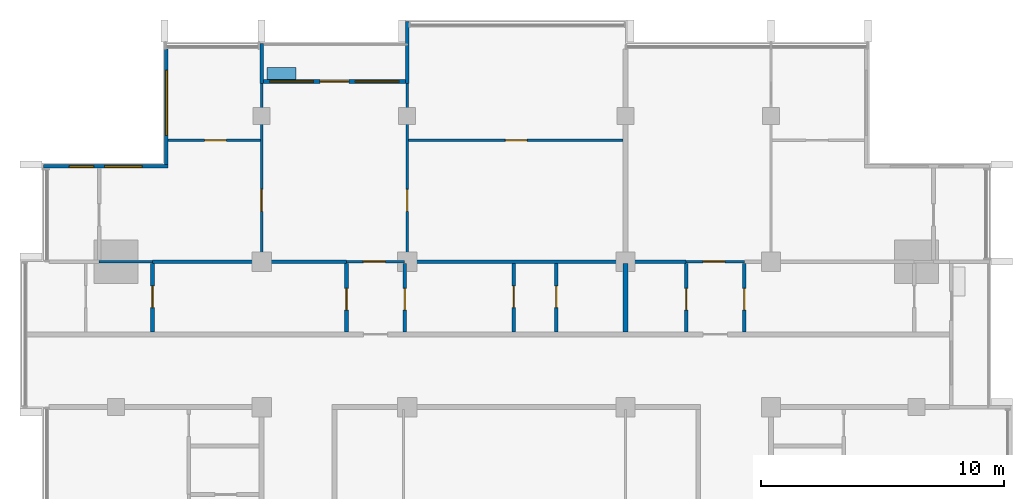
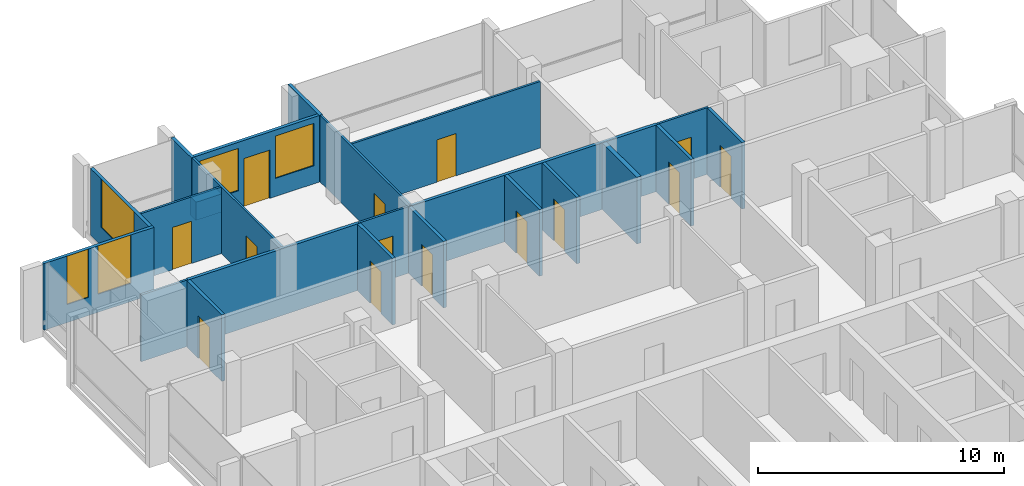
# One storey, part 10 of 16: 23 walls, 14 doors, 5 windows, 19 openings.
"""IFC4 building model written with IfcOpenShell, lengths in metres."""

from ifc_helpers import new_model, si_unit, direction, frame, frame_2d, origin, place, context, subcontext, project, spatial, rectangle, extrude, material, layer, layer_set, type_object, element, fill, save


model = new_model("IFC4")

# Units and contexts
model_context = context("Model", 3, precision=1e-05, world=origin(), true_north=direction((0.0, 1.0)))
body_context = subcontext(model_context, "Body", "Model", "MODEL_VIEW")
ifc_project = project(units=[si_unit("LENGTHUNIT", "METRE"), si_unit("AREAUNIT", "SQUARE_METRE"), si_unit("VOLUMEUNIT", "CUBIC_METRE"), si_unit("PLANEANGLEUNIT", "RADIAN"), si_unit("MASSUNIT", "GRAM", prefix="KILO")], contexts=[model_context])

# Site, building, storey
site_placement = place(None, origin())
site = spatial("IfcSite", under=ifc_project, at=site_placement, CompositionType="ELEMENT")
building_placement = place(site_placement, origin())
building = spatial("IfcBuilding", under=site, at=building_placement, Name="Finial Court Residences", CompositionType="ELEMENT")
storey_placement = place(building_placement, frame((0.0, 0.0, 280.699951171875)))
storey = spatial("IfcBuildingStorey", under=building, at=storey_placement, Name="L71", CompositionType="ELEMENT", Elevation=280.699951171875)

# Walls
ifc_material_1 = material(Name="Gypsum board")
ifc_layer_1 = layer(ifc_material_1, 0.02490234375)
ifc_material_2 = material(Name="Acoustic mineral wool in double frame")
ifc_layer_2 = layer(ifc_material_2, 0.14990234375)
ifc_layer_3 = layer(ifc_material_1, 0.02490234375)
ifc_layer_set_1 = layer_set([ifc_layer_1, ifc_layer_2, ifc_layer_3], Name="Acoustic party wall 200, 1 hour")
wall_type_1 = type_object("IfcWallType", Name="Acoustic party wall 200, 1 hour", PredefinedType="PARTITIONING", material=ifc_layer_set_1)
wall_1_placement = place(storey_placement, frame((4.5, 4.60009765625, 0.0), z_axis=(0.0, 0.0, 1.0), x_axis=(0.0, 1.0, 0.0)))
element("IfcWall", 1, at=wall_1_placement, inside=storey, type_object=wall_type_1, Name="Partition L71-045", PredefinedType="PARTITIONING", context=body_context, shape_type="SweptSolid", body=[
    extrude(rectangle(XDim=2.824951171875, YDim=0.199951171875, at=frame_2d((1.41259765625, 0.0))), origin(), (0.0, 0.0, 1.0), 3.300048828125),
])
ifc_layer_4 = layer(ifc_material_1, 0.012451171875)
ifc_material_3 = material(Name="Mineral wool in light-gauge frame")
ifc_layer_5 = layer(ifc_material_3, 0.074951171875)
ifc_layer_6 = layer(ifc_material_1, 0.012451171875)
ifc_layer_set_2 = layer_set([ifc_layer_4, ifc_layer_5, ifc_layer_6], Name="Gypsum board partition 100")
wall_type_2 = type_object("IfcWallType", Name="Gypsum board partition 100", PredefinedType="PARTITIONING", material=ifc_layer_set_2)
wall_2_placement = place(storey_placement, frame((-17.199951171875, 7.5, 0.0), z_axis=(0.0, 0.0, 1.0), x_axis=(1.0, 0.0, 0.0)))
element("IfcWall", 2, at=wall_2_placement, inside=storey, type_object=wall_type_2, Name="Partition L71-017", PredefinedType="PARTITIONING", context=body_context, shape_type="SweptSolid", body=[
    extrude(rectangle(XDim=2.199951171875, YDim=0.10009765625, at=frame_2d((1.10009765625, 0.0))), origin(), (0.0, 0.0, 1.0), 3.300048828125),
])

# Wall, opening, door
wall_3_placement = place(storey_placement, frame((-7.0, 7.5, 0.0), z_axis=(0.0, 0.0, 1.0), x_axis=(1.0, 0.0, 0.0)))
wall_3 = element("IfcWall", 3, at=wall_3_placement, inside=storey, type_object=wall_type_2, Name="Partition L71-018", PredefinedType="PARTITIONING", context=body_context, shape_type="SweptSolid", body=[
    extrude(rectangle(XDim=2.39990234375, YDim=0.10009765625, at=frame_2d((1.199951171875, 0.0))), origin(), (0.0, 0.0, 1.0), 3.300048828125),
])
opening_1_placement = place(wall_3_placement, frame((0.699951171875, 0.0, 0.0)))
opening_1 = element("IfcOpeningElement", 4, at=opening_1_placement, cuts=wall_3, Name="Opening L71-D018", PredefinedType="OPENING", context=body_context, shape_type="SweptSolid", body=[
    extrude(rectangle(XDim=0.89990234375, YDim=2.10009765625, at=frame_2d((0.449951171875, 1.050048828125))), frame((0.0, 0.06005859375, 0.0), z_axis=(0.0, -1.0, 0.0), x_axis=(1.0, 0.0, 0.0)), (0.0, 0.0, 1.0), 0.1201171875),
])
ifc_material_4 = material(Name="Timber door leaf in timber frame", Category="wood")
door_type_1 = type_object("IfcDoorType", Name="Door set 900 x 2100", OperationType="SINGLE_SWING_LEFT", PredefinedType="DOOR", material=ifc_material_4)
door_1_placement = place(opening_1_placement, origin())
door_1 = element("IfcDoor", 5, at=door_1_placement, inside=storey, type_object=door_type_1, Name="Door L71-D018", OperationType="SINGLE_SWING_RIGHT", OverallHeight=2.10009765625, OverallWidth=0.89990234375, PredefinedType="DOOR", context=body_context, shape_type="SweptSolid", body=[
    extrude(rectangle(XDim=0.89990234375, YDim=2.10009765625, at=frame_2d((0.449951171875, 1.050048828125))), frame((0.0, 0.02490234375, 0.0), z_axis=(0.0, -1.0, 0.0), x_axis=(1.0, 0.0, 0.0)), (0.0, 0.0, 1.0), 0.050048828125),
])
fill(opening_1, door_1)

wall_4_placement = place(storey_placement, frame((7.0, 7.5, 0.0), z_axis=(0.0, 0.0, 1.0), x_axis=(1.0, 0.0, 0.0)))
wall_4 = element("IfcWall", 6, at=wall_4_placement, inside=storey, type_object=wall_type_2, Name="Partition L71-019", PredefinedType="PARTITIONING", context=body_context, shape_type="SweptSolid", body=[
    extrude(rectangle(XDim=2.39990234375, YDim=0.10009765625, at=frame_2d((1.199951171875, 0.0))), origin(), (0.0, 0.0, 1.0), 3.300048828125),
])
opening_2_placement = place(wall_4_placement, frame((0.699951171875, 0.0, 0.0)))
opening_2 = element("IfcOpeningElement", 7, at=opening_2_placement, cuts=wall_4, Name="Opening L71-D019", PredefinedType="OPENING", context=body_context, shape_type="SweptSolid", body=[
    extrude(rectangle(XDim=0.89990234375, YDim=2.10009765625, at=frame_2d((0.449951171875, 1.050048828125))), frame((0.0, 0.06005859375, 0.0), z_axis=(0.0, -1.0, 0.0), x_axis=(1.0, 0.0, 0.0)), (0.0, 0.0, 1.0), 0.1201171875),
])
door_2_placement = place(opening_2_placement, origin())
door_2 = element("IfcDoor", 8, at=door_2_placement, inside=storey, type_object=door_type_1, Name="Door L71-D019", OperationType="SINGLE_SWING_RIGHT", OverallHeight=2.10009765625, OverallWidth=0.89990234375, PredefinedType="DOOR", context=body_context, shape_type="SweptSolid", body=[
    extrude(rectangle(XDim=0.89990234375, YDim=2.10009765625, at=frame_2d((0.449951171875, 1.050048828125))), frame((0.0, 0.02490234375, 0.0), z_axis=(0.0, -1.0, 0.0), x_axis=(1.0, 0.0, 0.0)), (0.0, 0.0, 1.0), 0.050048828125),
])
fill(opening_2, door_2)

wall_5_placement = place(storey_placement, frame((-14.35009765625, 12.5, 0.0), z_axis=(0.0, 0.0, 1.0), x_axis=(1.0, 0.0, 0.0)))
wall_5 = element("IfcWall", 9, at=wall_5_placement, inside=storey, type_object=wall_type_2, Name="Partition L71-026", PredefinedType="PARTITIONING", context=body_context, shape_type="SweptSolid", body=[
    extrude(rectangle(XDim=3.800048828125, YDim=0.10009765625, at=frame_2d((1.89990234375, 0.0))), origin(), (0.0, 0.0, 1.0), 3.300048828125),
])
opening_3_placement = place(wall_5_placement, frame((1.5, 0.0, 0.0)))
opening_3 = element("IfcOpeningElement", 10, at=opening_3_placement, cuts=wall_5, Name="Opening L71-D020", PredefinedType="OPENING", context=body_context, shape_type="SweptSolid", body=[
    extrude(rectangle(XDim=0.89990234375, YDim=2.10009765625, at=frame_2d((0.449951171875, 1.050048828125))), frame((0.0, 0.06005859375, 0.0), z_axis=(0.0, -1.0, 0.0), x_axis=(1.0, 0.0, 0.0)), (0.0, 0.0, 1.0), 0.1201171875),
])
door_3_placement = place(opening_3_placement, origin())
door_3 = element("IfcDoor", 11, at=door_3_placement, inside=storey, type_object=door_type_1, Name="Door L71-D020", OperationType="SINGLE_SWING_LEFT", OverallHeight=2.10009765625, OverallWidth=0.89990234375, PredefinedType="DOOR", context=body_context, shape_type="SweptSolid", body=[
    extrude(rectangle(XDim=0.89990234375, YDim=2.10009765625, at=frame_2d((0.449951171875, 1.050048828125))), frame((0.0, 0.02490234375, 0.0), z_axis=(0.0, -1.0, 0.0), x_axis=(1.0, 0.0, 0.0)), (0.0, 0.0, 1.0), 0.050048828125),
])
fill(opening_3, door_3)

wall_6_placement = place(storey_placement, frame((-4.449951171875, 12.5, 0.0), z_axis=(0.0, 0.0, 1.0), x_axis=(1.0, 0.0, 0.0)))
wall_6 = element("IfcWall", 12, at=wall_6_placement, inside=storey, type_object=wall_type_2, Name="Partition L71-027", PredefinedType="PARTITIONING", context=body_context, shape_type="SweptSolid", body=[
    extrude(rectangle(XDim=8.849853515625, YDim=0.10009765625, at=frame_2d((4.4248046875, 0.0))), origin(), (0.0, 0.0, 1.0), 3.300048828125),
])
opening_4_placement = place(wall_6_placement, frame((4.0, 0.0, 0.0)))
opening_4 = element("IfcOpeningElement", 13, at=opening_4_placement, cuts=wall_6, Name="Opening L71-D021", PredefinedType="OPENING", context=body_context, shape_type="SweptSolid", body=[
    extrude(rectangle(XDim=0.89990234375, YDim=2.10009765625, at=frame_2d((0.449951171875, 1.050048828125))), frame((0.0, 0.06005859375, 0.0), z_axis=(0.0, -1.0, 0.0), x_axis=(1.0, 0.0, 0.0)), (0.0, 0.0, 1.0), 0.1201171875),
])
door_4_placement = place(opening_4_placement, origin())
door_4 = element("IfcDoor", 14, at=door_4_placement, inside=storey, type_object=door_type_1, Name="Door L71-D021", OperationType="SINGLE_SWING_LEFT", OverallHeight=2.10009765625, OverallWidth=0.89990234375, PredefinedType="DOOR", context=body_context, shape_type="SweptSolid", body=[
    extrude(rectangle(XDim=0.89990234375, YDim=2.10009765625, at=frame_2d((0.449951171875, 1.050048828125))), frame((0.0, 0.02490234375, 0.0), z_axis=(0.0, -1.0, 0.0), x_axis=(1.0, 0.0, 0.0)), (0.0, 0.0, 1.0), 0.050048828125),
])
fill(opening_4, door_4)

wall_7_placement = place(storey_placement, frame((-10.5, 7.574951171875, 0.0), z_axis=(0.0, 0.0, 1.0), x_axis=(0.0, 1.0, 0.0)))
wall_7 = element("IfcWall", 15, at=wall_7_placement, inside=storey, type_object=wall_type_2, Name="Partition L71-036", PredefinedType="PARTITIONING", context=body_context, shape_type="SweptSolid", body=[
    extrude(rectangle(XDim=7.275146484375, YDim=0.10009765625, at=frame_2d((3.6376953125, 0.0))), origin(), (0.0, 0.0, 1.0), 3.300048828125),
])
opening_5_placement = place(wall_7_placement, frame((2.0, 0.0, 0.0)))
opening_5 = element("IfcOpeningElement", 16, at=opening_5_placement, cuts=wall_7, Name="Opening L71-D028", PredefinedType="OPENING", context=body_context, shape_type="SweptSolid", body=[
    extrude(rectangle(XDim=0.89990234375, YDim=2.10009765625, at=frame_2d((0.449951171875, 1.050048828125))), frame((0.0, 0.06005859375, 0.0), z_axis=(0.0, -1.0, 0.0), x_axis=(1.0, 0.0, 0.0)), (0.0, 0.0, 1.0), 0.1201171875),
])
door_5_placement = place(opening_5_placement, origin())
door_5 = element("IfcDoor", 17, at=door_5_placement, inside=storey, type_object=door_type_1, Name="Door L71-D028", OperationType="SINGLE_SWING_RIGHT", OverallHeight=2.10009765625, OverallWidth=0.89990234375, PredefinedType="DOOR", context=body_context, shape_type="SweptSolid", body=[
    extrude(rectangle(XDim=0.89990234375, YDim=2.10009765625, at=frame_2d((0.449951171875, 1.050048828125))), frame((0.0, 0.02490234375, 0.0), z_axis=(0.0, -1.0, 0.0), x_axis=(1.0, 0.0, 0.0)), (0.0, 0.0, 1.0), 0.050048828125),
])
fill(opening_5, door_5)

wall_8_placement = place(storey_placement, frame((-4.5, 7.574951171875, 0.0), z_axis=(0.0, 0.0, 1.0), x_axis=(0.0, 1.0, 0.0)))
wall_8 = element("IfcWall", 18, at=wall_8_placement, inside=storey, type_object=wall_type_2, Name="Partition L71-041", PredefinedType="PARTITIONING", context=body_context, shape_type="SweptSolid", body=[
    extrude(rectangle(XDim=7.275146484375, YDim=0.10009765625, at=frame_2d((3.6376953125, 0.0))), origin(), (0.0, 0.0, 1.0), 3.300048828125),
])
opening_6_placement = place(wall_8_placement, frame((2.0, 0.0, 0.0)))
opening_6 = element("IfcOpeningElement", 19, at=opening_6_placement, cuts=wall_8, Name="Opening L71-D031", PredefinedType="OPENING", context=body_context, shape_type="SweptSolid", body=[
    extrude(rectangle(XDim=0.89990234375, YDim=2.10009765625, at=frame_2d((0.449951171875, 1.050048828125))), frame((0.0, 0.06005859375, 0.0), z_axis=(0.0, -1.0, 0.0), x_axis=(1.0, 0.0, 0.0)), (0.0, 0.0, 1.0), 0.1201171875),
])
door_6_placement = place(opening_6_placement, origin())
door_6 = element("IfcDoor", 20, at=door_6_placement, inside=storey, type_object=door_type_1, Name="Door L71-D031", OperationType="SINGLE_SWING_LEFT", OverallHeight=2.10009765625, OverallWidth=0.89990234375, PredefinedType="DOOR", context=body_context, shape_type="SweptSolid", body=[
    extrude(rectangle(XDim=0.89990234375, YDim=2.10009765625, at=frame_2d((0.449951171875, 1.050048828125))), frame((0.0, 0.02490234375, 0.0), z_axis=(0.0, -1.0, 0.0), x_axis=(1.0, 0.0, 0.0)), (0.0, 0.0, 1.0), 0.050048828125),
])
fill(opening_6, door_6)

# Walls
ifc_material_5 = material(Name="Moisture-resistant gypsum board")
ifc_layer_7 = layer(ifc_material_5, 0.012451171875)
ifc_layer_8 = layer(ifc_material_3, 0.125)
ifc_layer_9 = layer(ifc_material_5, 0.012451171875)
ifc_layer_set_3 = layer_set([ifc_layer_7, ifc_layer_8, ifc_layer_9], Name="Gypsum board wet-area partition 150")
wall_type_3 = type_object("IfcWallType", Name="Gypsum board wet-area partition 150", PredefinedType="PARTITIONING", material=ifc_layer_set_3)
wall_9_placement = place(storey_placement, frame((-15.0, 7.5, 0.0), z_axis=(0.0, 0.0, 1.0), x_axis=(1.0, 0.0, 0.0)))
element("IfcWall", 21, at=wall_9_placement, inside=storey, type_object=wall_type_3, Name="Partition L71-022", PredefinedType="PARTITIONING", context=body_context, shape_type="SweptSolid", body=[
    extrude(rectangle(XDim=8.0, YDim=0.14990234375, at=frame_2d((4.0, 0.0))), origin(), (0.0, 0.0, 1.0), 3.300048828125),
])
wall_10_placement = place(storey_placement, frame((-4.5, 7.5, 0.0), z_axis=(0.0, 0.0, 1.0), x_axis=(1.0, 0.0, 0.0)))
element("IfcWall", 22, at=wall_10_placement, inside=storey, type_object=wall_type_3, Name="Partition L71-023", PredefinedType="PARTITIONING", context=body_context, shape_type="SweptSolid", body=[
    extrude(rectangle(XDim=11.5, YDim=0.14990234375, at=frame_2d((5.75, 0.0))), origin(), (0.0, 0.0, 1.0), 3.300048828125),
])

# Wall, opening, door
wall_11_placement = place(storey_placement, frame((-15.0, 4.60009765625, 0.0), z_axis=(0.0, 0.0, 1.0), x_axis=(0.0, 1.0, 0.0)))
wall_11 = element("IfcWall", 23, at=wall_11_placement, inside=storey, type_object=wall_type_3, Name="Partition L71-032", PredefinedType="PARTITIONING", context=body_context, shape_type="SweptSolid", body=[
    extrude(rectangle(XDim=2.824951171875, YDim=0.14990234375, at=frame_2d((1.41259765625, 0.0))), origin(), (0.0, 0.0, 1.0), 3.300048828125),
])
opening_7_placement = place(wall_11_placement, frame((1.0, 0.0, 0.0)))
opening_7 = element("IfcOpeningElement", 24, at=opening_7_placement, cuts=wall_11, Name="Opening L71-D025", PredefinedType="OPENING", context=body_context, shape_type="SweptSolid", body=[
    extrude(rectangle(XDim=0.89990234375, YDim=2.10009765625, at=frame_2d((0.449951171875, 1.050048828125))), frame((0.0, 0.0849609375, 0.0), z_axis=(0.0, -1.0, 0.0), x_axis=(1.0, 0.0, 0.0)), (0.0, 0.0, 1.0), 0.169921875),
])
door_7_placement = place(opening_7_placement, origin())
door_7 = element("IfcDoor", 25, at=door_7_placement, inside=storey, type_object=door_type_1, Name="Door L71-D025", OperationType="SINGLE_SWING_LEFT", OverallHeight=2.10009765625, OverallWidth=0.89990234375, PredefinedType="DOOR", context=body_context, shape_type="SweptSolid", body=[
    extrude(rectangle(XDim=0.89990234375, YDim=2.10009765625, at=frame_2d((0.449951171875, 1.050048828125))), frame((0.0, 0.02490234375, 0.0), z_axis=(0.0, -1.0, 0.0), x_axis=(1.0, 0.0, 0.0)), (0.0, 0.0, 1.0), 0.050048828125),
])
fill(opening_7, door_7)

wall_12_placement = place(storey_placement, frame((-7.0, 4.60009765625, 0.0), z_axis=(0.0, 0.0, 1.0), x_axis=(0.0, 1.0, 0.0)))
wall_12 = element("IfcWall", 26, at=wall_12_placement, inside=storey, type_object=wall_type_3, Name="Partition L71-038", PredefinedType="PARTITIONING", context=body_context, shape_type="SweptSolid", body=[
    extrude(rectangle(XDim=2.824951171875, YDim=0.14990234375, at=frame_2d((1.41259765625, 0.0))), origin(), (0.0, 0.0, 1.0), 3.300048828125),
])
opening_8_placement = place(wall_12_placement, frame((0.89990234375, 0.0, 0.0)))
opening_8 = element("IfcOpeningElement", 27, at=opening_8_placement, cuts=wall_12, Name="Opening L71-D029", PredefinedType="OPENING", context=body_context, shape_type="SweptSolid", body=[
    extrude(rectangle(XDim=0.89990234375, YDim=2.10009765625, at=frame_2d((0.449951171875, 1.050048828125))), frame((0.0, 0.0849609375, 0.0), z_axis=(0.0, -1.0, 0.0), x_axis=(1.0, 0.0, 0.0)), (0.0, 0.0, 1.0), 0.169921875),
])
door_8_placement = place(opening_8_placement, origin())
door_8 = element("IfcDoor", 28, at=door_8_placement, inside=storey, type_object=door_type_1, Name="Door L71-D029", OperationType="SINGLE_SWING_LEFT", OverallHeight=2.10009765625, OverallWidth=0.89990234375, PredefinedType="DOOR", context=body_context, shape_type="SweptSolid", body=[
    extrude(rectangle(XDim=0.89990234375, YDim=2.10009765625, at=frame_2d((0.449951171875, 1.050048828125))), frame((0.0, 0.02490234375, 0.0), z_axis=(0.0, -1.0, 0.0), x_axis=(1.0, 0.0, 0.0)), (0.0, 0.0, 1.0), 0.050048828125),
])
fill(opening_8, door_8)

wall_13_placement = place(storey_placement, frame((-4.60009765625, 4.60009765625, 0.0), z_axis=(0.0, 0.0, 1.0), x_axis=(0.0, 1.0, 0.0)))
wall_13 = element("IfcWall", 29, at=wall_13_placement, inside=storey, type_object=wall_type_3, Name="Partition L71-040", PredefinedType="PARTITIONING", context=body_context, shape_type="SweptSolid", body=[
    extrude(rectangle(XDim=2.824951171875, YDim=0.14990234375, at=frame_2d((1.41259765625, 0.0))), origin(), (0.0, 0.0, 1.0), 3.300048828125),
])
opening_9_placement = place(wall_13_placement, frame((0.89990234375, 0.0, 0.0)))
opening_9 = element("IfcOpeningElement", 30, at=opening_9_placement, cuts=wall_13, Name="Opening L71-D030", PredefinedType="OPENING", context=body_context, shape_type="SweptSolid", body=[
    extrude(rectangle(XDim=0.89990234375, YDim=2.10009765625, at=frame_2d((0.449951171875, 1.050048828125))), frame((0.0, 0.0849609375, 0.0), z_axis=(0.0, -1.0, 0.0), x_axis=(1.0, 0.0, 0.0)), (0.0, 0.0, 1.0), 0.169921875),
])
door_9_placement = place(opening_9_placement, origin())
door_9 = element("IfcDoor", 31, at=door_9_placement, inside=storey, type_object=door_type_1, Name="Door L71-D030", OperationType="SINGLE_SWING_RIGHT", OverallHeight=2.10009765625, OverallWidth=0.89990234375, PredefinedType="DOOR", context=body_context, shape_type="SweptSolid", body=[
    extrude(rectangle(XDim=0.89990234375, YDim=2.10009765625, at=frame_2d((0.449951171875, 1.050048828125))), frame((0.0, 0.02490234375, 0.0), z_axis=(0.0, -1.0, 0.0), x_axis=(1.0, 0.0, 0.0)), (0.0, 0.0, 1.0), 0.050048828125),
])
fill(opening_9, door_9)

wall_14_placement = place(storey_placement, frame((-0.10009765625, 4.60009765625, 0.0), z_axis=(0.0, 0.0, 1.0), x_axis=(0.0, 1.0, 0.0)))
wall_14 = element("IfcWall", 32, at=wall_14_placement, inside=storey, type_object=wall_type_3, Name="Partition L71-042", PredefinedType="PARTITIONING", context=body_context, shape_type="SweptSolid", body=[
    extrude(rectangle(XDim=2.824951171875, YDim=0.14990234375, at=frame_2d((1.41259765625, 0.0))), origin(), (0.0, 0.0, 1.0), 3.300048828125),
])
opening_10_placement = place(wall_14_placement, frame((1.0, 0.0, 0.0)))
opening_10 = element("IfcOpeningElement", 33, at=opening_10_placement, cuts=wall_14, Name="Opening L71-D032", PredefinedType="OPENING", context=body_context, shape_type="SweptSolid", body=[
    extrude(rectangle(XDim=0.89990234375, YDim=2.10009765625, at=frame_2d((0.449951171875, 1.050048828125))), frame((0.0, 0.0849609375, 0.0), z_axis=(0.0, -1.0, 0.0), x_axis=(1.0, 0.0, 0.0)), (0.0, 0.0, 1.0), 0.169921875),
])
door_10_placement = place(opening_10_placement, origin())
door_10 = element("IfcDoor", 34, at=door_10_placement, inside=storey, type_object=door_type_1, Name="Door L71-D032", OperationType="SINGLE_SWING_RIGHT", OverallHeight=2.10009765625, OverallWidth=0.89990234375, PredefinedType="DOOR", context=body_context, shape_type="SweptSolid", body=[
    extrude(rectangle(XDim=0.89990234375, YDim=2.10009765625, at=frame_2d((0.449951171875, 1.050048828125))), frame((0.0, 0.02490234375, 0.0), z_axis=(0.0, -1.0, 0.0), x_axis=(1.0, 0.0, 0.0)), (0.0, 0.0, 1.0), 0.050048828125),
])
fill(opening_10, door_10)

wall_15_placement = place(storey_placement, frame((1.64990234375, 4.60009765625, 0.0), z_axis=(0.0, 0.0, 1.0), x_axis=(0.0, 1.0, 0.0)))
wall_15 = element("IfcWall", 35, at=wall_15_placement, inside=storey, type_object=wall_type_3, Name="Partition L71-043", PredefinedType="PARTITIONING", context=body_context, shape_type="SweptSolid", body=[
    extrude(rectangle(XDim=2.824951171875, YDim=0.14990234375, at=frame_2d((1.41259765625, 0.0))), origin(), (0.0, 0.0, 1.0), 3.300048828125),
])
opening_11_placement = place(wall_15_placement, frame((1.0, 0.0, 0.0)))
opening_11 = element("IfcOpeningElement", 36, at=opening_11_placement, cuts=wall_15, Name="Opening L71-D033", PredefinedType="OPENING", context=body_context, shape_type="SweptSolid", body=[
    extrude(rectangle(XDim=0.89990234375, YDim=2.10009765625, at=frame_2d((0.449951171875, 1.050048828125))), frame((0.0, 0.0849609375, 0.0), z_axis=(0.0, -1.0, 0.0), x_axis=(1.0, 0.0, 0.0)), (0.0, 0.0, 1.0), 0.169921875),
])
door_11_placement = place(opening_11_placement, origin())
door_11 = element("IfcDoor", 37, at=door_11_placement, inside=storey, type_object=door_type_1, Name="Door L71-D033", OperationType="SINGLE_SWING_LEFT", OverallHeight=2.10009765625, OverallWidth=0.89990234375, PredefinedType="DOOR", context=body_context, shape_type="SweptSolid", body=[
    extrude(rectangle(XDim=0.89990234375, YDim=2.10009765625, at=frame_2d((0.449951171875, 1.050048828125))), frame((0.0, 0.02490234375, 0.0), z_axis=(0.0, -1.0, 0.0), x_axis=(1.0, 0.0, 0.0)), (0.0, 0.0, 1.0), 0.050048828125),
])
fill(opening_11, door_11)

wall_16_placement = place(storey_placement, frame((7.0, 4.60009765625, 0.0), z_axis=(0.0, 0.0, 1.0), x_axis=(0.0, 1.0, 0.0)))
wall_16 = element("IfcWall", 38, at=wall_16_placement, inside=storey, type_object=wall_type_3, Name="Partition L71-047", PredefinedType="PARTITIONING", context=body_context, shape_type="SweptSolid", body=[
    extrude(rectangle(XDim=2.824951171875, YDim=0.14990234375, at=frame_2d((1.41259765625, 0.0))), origin(), (0.0, 0.0, 1.0), 3.300048828125),
])
opening_12_placement = place(wall_16_placement, frame((0.89990234375, 0.0, 0.0)))
opening_12 = element("IfcOpeningElement", 39, at=opening_12_placement, cuts=wall_16, Name="Opening L71-D034", PredefinedType="OPENING", context=body_context, shape_type="SweptSolid", body=[
    extrude(rectangle(XDim=0.89990234375, YDim=2.10009765625, at=frame_2d((0.449951171875, 1.050048828125))), frame((0.0, 0.0849609375, 0.0), z_axis=(0.0, -1.0, 0.0), x_axis=(1.0, 0.0, 0.0)), (0.0, 0.0, 1.0), 0.169921875),
])
door_12_placement = place(opening_12_placement, origin())
door_12 = element("IfcDoor", 40, at=door_12_placement, inside=storey, type_object=door_type_1, Name="Door L71-D034", OperationType="SINGLE_SWING_RIGHT", OverallHeight=2.10009765625, OverallWidth=0.89990234375, PredefinedType="DOOR", context=body_context, shape_type="SweptSolid", body=[
    extrude(rectangle(XDim=0.89990234375, YDim=2.10009765625, at=frame_2d((0.449951171875, 1.050048828125))), frame((0.0, 0.02490234375, 0.0), z_axis=(0.0, -1.0, 0.0), x_axis=(1.0, 0.0, 0.0)), (0.0, 0.0, 1.0), 0.050048828125),
])
fill(opening_12, door_12)

wall_17_placement = place(storey_placement, frame((9.39990234375, 4.60009765625, 0.0), z_axis=(0.0, 0.0, 1.0), x_axis=(0.0, 1.0, 0.0)))
wall_17 = element("IfcWall", 41, at=wall_17_placement, inside=storey, type_object=wall_type_3, Name="Partition L71-049", PredefinedType="PARTITIONING", context=body_context, shape_type="SweptSolid", body=[
    extrude(rectangle(XDim=2.824951171875, YDim=0.14990234375, at=frame_2d((1.41259765625, 0.0))), origin(), (0.0, 0.0, 1.0), 3.300048828125),
])
opening_13_placement = place(wall_17_placement, frame((0.89990234375, 0.0, 0.0)))
opening_13 = element("IfcOpeningElement", 42, at=opening_13_placement, cuts=wall_17, Name="Opening L71-D035", PredefinedType="OPENING", context=body_context, shape_type="SweptSolid", body=[
    extrude(rectangle(XDim=0.89990234375, YDim=2.10009765625, at=frame_2d((0.449951171875, 1.050048828125))), frame((0.0, 0.0849609375, 0.0), z_axis=(0.0, -1.0, 0.0), x_axis=(1.0, 0.0, 0.0)), (0.0, 0.0, 1.0), 0.169921875),
])
door_13_placement = place(opening_13_placement, origin())
door_13 = element("IfcDoor", 43, at=door_13_placement, inside=storey, type_object=door_type_1, Name="Door L71-D035", OperationType="SINGLE_SWING_LEFT", OverallHeight=2.10009765625, OverallWidth=0.89990234375, PredefinedType="DOOR", context=body_context, shape_type="SweptSolid", body=[
    extrude(rectangle(XDim=0.89990234375, YDim=2.10009765625, at=frame_2d((0.449951171875, 1.050048828125))), frame((0.0, 0.02490234375, 0.0), z_axis=(0.0, -1.0, 0.0), x_axis=(1.0, 0.0, 0.0)), (0.0, 0.0, 1.0), 0.050048828125),
])
fill(opening_13, door_13)

# Wall, opening, window
ifc_material_6 = material(Name="Natural limestone", Category="masonry")
ifc_layer_10 = layer(ifc_material_6, 0.14990234375)
ifc_layer_set_4 = layer_set([ifc_layer_10], Name="Limestone clad wall 150")
wall_type_4 = type_object("IfcWallType", Name="Limestone clad wall 150", PredefinedType="SOLIDWALL", material=ifc_layer_set_4)
wall_18_placement = place(storey_placement, frame((-14.425048828125, 11.5, 0.0), z_axis=(0.0, 0.0, 1.0), x_axis=(0.0, 1.0, 0.0)))
wall_18 = element("IfcWall", 44, at=wall_18_placement, inside=storey, type_object=wall_type_4, Name="E-L71-NWW16", PredefinedType="SOLIDWALL", context=body_context, shape_type="SweptSolid", body=[
    extrude(rectangle(XDim=4.762451171875, YDim=0.14990234375, at=frame_2d((2.38134765625, 0.0))), origin(), (0.0, 0.0, 1.0), 3.300048828125),
])
opening_14_placement = place(wall_18_placement, frame((1.2001953125, 0.0, 0.89990234375)))
opening_14 = element("IfcOpeningElement", 45, at=opening_14_placement, cuts=wall_18, Name="Opening WE71-05", PredefinedType="OPENING", context=body_context, shape_type="SweptSolid", body=[
    extrude(rectangle(XDim=2.680908203125, YDim=2.39990234375, at=frame_2d((1.34033203125, 1.199951171875))), frame((0.0, 0.0849609375, 0.0), z_axis=(0.0, -1.0, 0.0), x_axis=(1.0, 0.0, 0.0)), (0.0, 0.0, 1.0), 0.169921875),
])
ifc_material_7 = material(Name="Clear low-e glass", Category="glass")
window_type_1 = type_object("IfcWindowType", Name="Corner window 2681 x 2400", PartitioningType="SINGLE_PANEL", PredefinedType="WINDOW", material=ifc_material_7)
window_1_placement = place(opening_14_placement, origin())
window_1 = element("IfcWindow", 46, at=window_1_placement, inside=storey, type_object=window_type_1, Name="E-L71-NWW16-W1", OverallHeight=2.39990234375, OverallWidth=2.680908203125, PartitioningType="SINGLE_PANEL", PredefinedType="WINDOW", context=body_context, shape_type="SweptSolid", body=[
    extrude(rectangle(XDim=2.680908203125, YDim=2.39990234375, at=frame_2d((1.34033203125, 1.199951171875))), frame((0.0, 0.030029296875, 0.0), z_axis=(0.0, -1.0, 0.0), x_axis=(1.0, 0.0, 0.0)), (0.0, 0.0, 1.0), 0.06005859375),
])
fill(opening_14, window_1)

# Wall, openings, windows
wall_19_placement = place(storey_placement, frame((-19.5, 11.425048828125, 0.0), z_axis=(0.0, 0.0, 1.0), x_axis=(1.0, 0.0, 0.0)))
wall_19 = element("IfcWall", 47, at=wall_19_placement, inside=storey, type_object=wall_type_4, Name="E-L71-NWN17", PredefinedType="SOLIDWALL", context=body_context, shape_type="SweptSolid", body=[
    extrude(rectangle(XDim=5.14990234375, YDim=0.14990234375, at=frame_2d((2.574951171875, 0.0))), origin(), (0.0, 0.0, 1.0), 3.300048828125),
])
opening_15_placement = place(wall_19_placement, frame((1.074951171875, 0.0, 0.89990234375)))
opening_15 = element("IfcOpeningElement", 48, at=opening_15_placement, cuts=wall_19, Name="Opening WE71-06", PredefinedType="OPENING", context=body_context, shape_type="SweptSolid", body=[
    extrude(rectangle(XDim=1.0, YDim=2.39990234375, at=frame_2d((0.5, 1.199951171875))), frame((0.0, 0.0849609375, 0.0), z_axis=(0.0, -1.0, 0.0), x_axis=(1.0, 0.0, 0.0)), (0.0, 0.0, 1.0), 0.169921875),
])
opening_16_placement = place(wall_19_placement, frame((2.52490234375, 0.0, 0.89990234375)))
opening_16 = element("IfcOpeningElement", 49, at=opening_16_placement, cuts=wall_19, Name="Opening WE71-07", PredefinedType="OPENING", context=body_context, shape_type="SweptSolid", body=[
    extrude(rectangle(XDim=1.550048828125, YDim=2.39990234375, at=frame_2d((0.77490234375, 1.199951171875))), frame((0.0, 0.0849609375, 0.0), z_axis=(0.0, -1.0, 0.0), x_axis=(1.0, 0.0, 0.0)), (0.0, 0.0, 1.0), 0.169921875),
])
window_type_2 = type_object("IfcWindowType", Name="Corner window 1000 x 2400", PartitioningType="SINGLE_PANEL", PredefinedType="WINDOW", material=ifc_material_7)
window_2_placement = place(opening_15_placement, origin())
window_2 = element("IfcWindow", 50, at=window_2_placement, inside=storey, type_object=window_type_2, Name="E-L71-NWN17-W1", OverallHeight=2.39990234375, OverallWidth=1.0, PartitioningType="SINGLE_PANEL", PredefinedType="WINDOW", context=body_context, shape_type="SweptSolid", body=[
    extrude(rectangle(XDim=1.0, YDim=2.39990234375, at=frame_2d((0.5, 1.199951171875))), frame((0.0, 0.030029296875, 0.0), z_axis=(0.0, -1.0, 0.0), x_axis=(1.0, 0.0, 0.0)), (0.0, 0.0, 1.0), 0.06005859375),
])
fill(opening_15, window_2)
window_type_3 = type_object("IfcWindowType", Name="Corner window 1550 x 2400", PartitioningType="SINGLE_PANEL", PredefinedType="WINDOW", material=ifc_material_7)
window_3_placement = place(opening_16_placement, origin())
window_3 = element("IfcWindow", 51, at=window_3_placement, inside=storey, type_object=window_type_3, Name="E-L71-NWN17-W2", OverallHeight=2.39990234375, OverallWidth=1.550048828125, PartitioningType="SINGLE_PANEL", PredefinedType="WINDOW", context=body_context, shape_type="SweptSolid", body=[
    extrude(rectangle(XDim=1.550048828125, YDim=2.39990234375, at=frame_2d((0.77490234375, 1.199951171875))), frame((0.0, 0.030029296875, 0.0), z_axis=(0.0, -1.0, 0.0), x_axis=(1.0, 0.0, 0.0)), (0.0, 0.0, 1.0), 0.06005859375),
])
fill(opening_16, window_3)

# Walls
wall_20_placement = place(storey_placement, frame((-10.5, 14.85009765625, 0.0), z_axis=(0.0, 0.0, 1.0), x_axis=(0.0, 1.0, 0.0)))
element("IfcWall", 52, at=wall_20_placement, inside=storey, type_object=wall_type_4, Name="E-L71-BALN2-P1", PredefinedType="SOLIDWALL", context=body_context, shape_type="SweptSolid", body=[
    extrude(rectangle(XDim=1.64990234375, YDim=0.14990234375, at=frame_2d((0.824951171875, 0.0))), origin(), (0.0, 0.0, 1.0), 3.300048828125),
])
wall_21_placement = place(storey_placement, frame((-4.5, 14.85009765625, 0.0), z_axis=(0.0, 0.0, 1.0), x_axis=(0.0, 1.0, 0.0)))
element("IfcWall", 53, at=wall_21_placement, inside=storey, type_object=wall_type_4, Name="E-L71-BALN2-P2", PredefinedType="SOLIDWALL", context=body_context, shape_type="SweptSolid", body=[
    extrude(rectangle(XDim=2.5498046875, YDim=0.14990234375, at=frame_2d((1.27490234375, 0.0))), origin(), (0.0, 0.0, 1.0), 3.300048828125),
])

# Wall, openings, door, windows
wall_22_placement = place(storey_placement, frame((-10.425048828125, 14.925048828125, 0.0), z_axis=(0.0, 0.0, 1.0), x_axis=(1.0, 0.0, 0.0)))
wall_22 = element("IfcWall", 54, at=wall_22_placement, inside=storey, type_object=wall_type_4, Name="E-L71-L71-BALN2-W", PredefinedType="SOLIDWALL", context=body_context, shape_type="SweptSolid", body=[
    extrude(rectangle(XDim=5.85009765625, YDim=0.14990234375, at=frame_2d((2.925048828125, 0.0))), origin(), (0.0, 0.0, 1.0), 3.300048828125),
])
opening_17_placement = place(wall_22_placement, frame((2.324951171875, 0.0, 0.0)))
opening_17 = element("IfcOpeningElement", 55, at=opening_17_placement, cuts=wall_22, Name="Opening DE71-01", PredefinedType="OPENING", context=body_context, shape_type="SweptSolid", body=[
    extrude(rectangle(XDim=1.199951171875, YDim=2.39990234375, at=frame_2d((0.60009765625, 1.199951171875))), frame((0.0, 0.0849609375, 0.0), z_axis=(0.0, -1.0, 0.0), x_axis=(1.0, 0.0, 0.0)), (0.0, 0.0, 1.0), 0.169921875),
])
opening_18_placement = place(wall_22_placement, frame((0.262451171875, 0.0, 0.89990234375)))
opening_18 = element("IfcOpeningElement", 56, at=opening_18_placement, cuts=wall_22, Name="Opening WE71-11", PredefinedType="OPENING", context=body_context, shape_type="SweptSolid", body=[
    extrude(rectangle(XDim=1.800048828125, YDim=2.10009765625, at=frame_2d((0.89990234375, 1.050048828125))), frame((0.0, 0.0849609375, 0.0), z_axis=(0.0, -1.0, 0.0), x_axis=(1.0, 0.0, 0.0)), (0.0, 0.0, 1.0), 0.169921875),
])
opening_19_placement = place(wall_22_placement, frame((3.78759765625, 0.0, 0.89990234375)))
opening_19 = element("IfcOpeningElement", 57, at=opening_19_placement, cuts=wall_22, Name="Opening WE71-12", PredefinedType="OPENING", context=body_context, shape_type="SweptSolid", body=[
    extrude(rectangle(XDim=1.800048828125, YDim=2.10009765625, at=frame_2d((0.89990234375, 1.050048828125))), frame((0.0, 0.0849609375, 0.0), z_axis=(0.0, -1.0, 0.0), x_axis=(1.0, 0.0, 0.0)), (0.0, 0.0, 1.0), 0.169921875),
])
ifc_material_8 = material(Name="Bronze anodised aluminium", Category="aluminium")
door_type_2 = type_object("IfcDoorType", Name="Balcony door 1200 x 2400", OperationType="SINGLE_SWING_LEFT", PredefinedType="DOOR", material=ifc_material_8)
door_14_placement = place(opening_17_placement, origin())
door_14 = element("IfcDoor", 58, at=door_14_placement, inside=storey, type_object=door_type_2, Name="E-L71-L71-BALN2-W-D", OperationType="SINGLE_SWING_RIGHT", OverallHeight=2.39990234375, OverallWidth=1.199951171875, PredefinedType="DOOR", context=body_context, shape_type="SweptSolid", body=[
    extrude(rectangle(XDim=1.199951171875, YDim=2.39990234375, at=frame_2d((0.60009765625, 1.199951171875))), frame((0.0, 0.02490234375, 0.0), z_axis=(0.0, -1.0, 0.0), x_axis=(1.0, 0.0, 0.0)), (0.0, 0.0, 1.0), 0.050048828125),
])
fill(opening_17, door_14)
window_type_4 = type_object("IfcWindowType", Name="Balcony window 1800 x 2100", PartitioningType="SINGLE_PANEL", PredefinedType="WINDOW", material=ifc_material_7)
window_4_placement = place(opening_18_placement, origin())
window_4 = element("IfcWindow", 59, at=window_4_placement, inside=storey, type_object=window_type_4, Name="E-L71-L71-BALN2-W-W1", OverallHeight=2.10009765625, OverallWidth=1.800048828125, PartitioningType="SINGLE_PANEL", PredefinedType="WINDOW", context=body_context, shape_type="SweptSolid", body=[
    extrude(rectangle(XDim=1.800048828125, YDim=2.10009765625, at=frame_2d((0.89990234375, 1.050048828125))), frame((0.0, 0.030029296875, 0.0), z_axis=(0.0, -1.0, 0.0), x_axis=(1.0, 0.0, 0.0)), (0.0, 0.0, 1.0), 0.06005859375),
])
fill(opening_18, window_4)
window_5_placement = place(opening_19_placement, origin())
window_5 = element("IfcWindow", 60, at=window_5_placement, inside=storey, type_object=window_type_4, Name="E-L71-L71-BALN2-W-W2", OverallHeight=2.10009765625, OverallWidth=1.800048828125, PartitioningType="SINGLE_PANEL", PredefinedType="WINDOW", context=body_context, shape_type="SweptSolid", body=[
    extrude(rectangle(XDim=1.800048828125, YDim=2.10009765625, at=frame_2d((0.89990234375, 1.050048828125))), frame((0.0, 0.030029296875, 0.0), z_axis=(0.0, -1.0, 0.0), x_axis=(1.0, 0.0, 0.0)), (0.0, 0.0, 1.0), 0.06005859375),
])
fill(opening_19, window_5)

# Wall
ifc_material_9 = material(Name="Concrete C40/50", Category="concrete")
ifc_layer_11 = layer(ifc_material_9, 0.10009765625)
ifc_material_10 = material(Name="Planting soil", Category="soil")
ifc_layer_12 = layer(ifc_material_10, 0.300048828125)
ifc_layer_13 = layer(ifc_material_9, 0.10009765625)
ifc_layer_set_5 = layer_set([ifc_layer_11, ifc_layer_12, ifc_layer_13], Name="Planter wall, balcony")
wall_type_5 = type_object("IfcWallType", Name="Planter wall, balcony", PredefinedType="USERDEFINED", material=ifc_layer_set_5)
wall_23_placement = place(storey_placement, frame((-10.27490234375, 15.25, 0.0), z_axis=(0.0, 0.0, 1.0), x_axis=(1.0, 0.0, 0.0)))
element("IfcWall", 61, at=wall_23_placement, inside=storey, type_object=wall_type_5, Name="E-L71-BALN2-PL", ObjectType="PLANTER", PredefinedType="USERDEFINED", context=body_context, shape_type="SweptSolid", body=[
    extrude(rectangle(XDim=1.199951171875, YDim=0.5, at=frame_2d((0.60009765625, 0.0))), origin(), (0.0, 0.0, 1.0), 0.900146484375),
])

save(model, "model.ifc")
